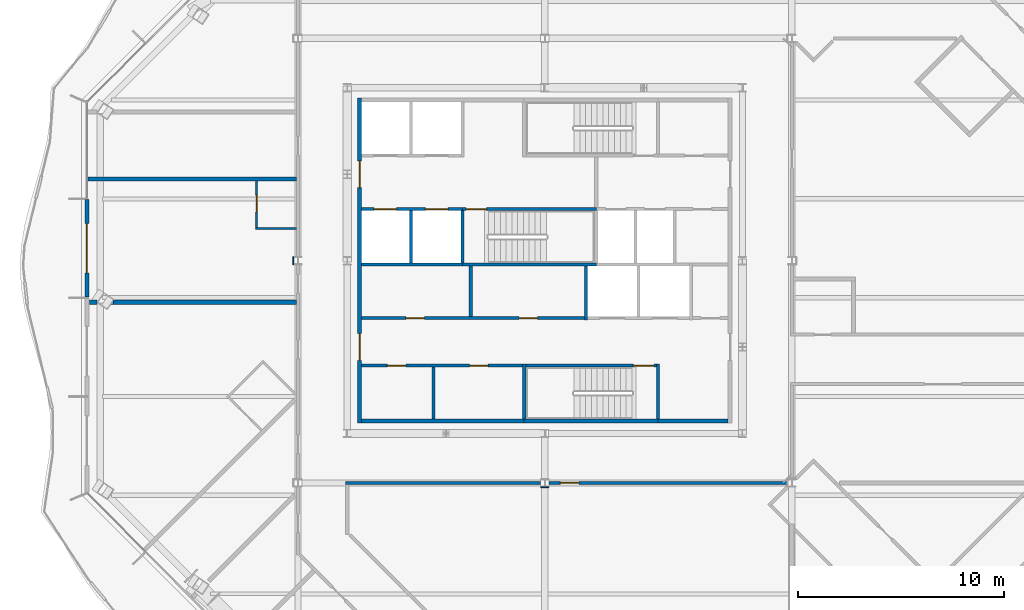
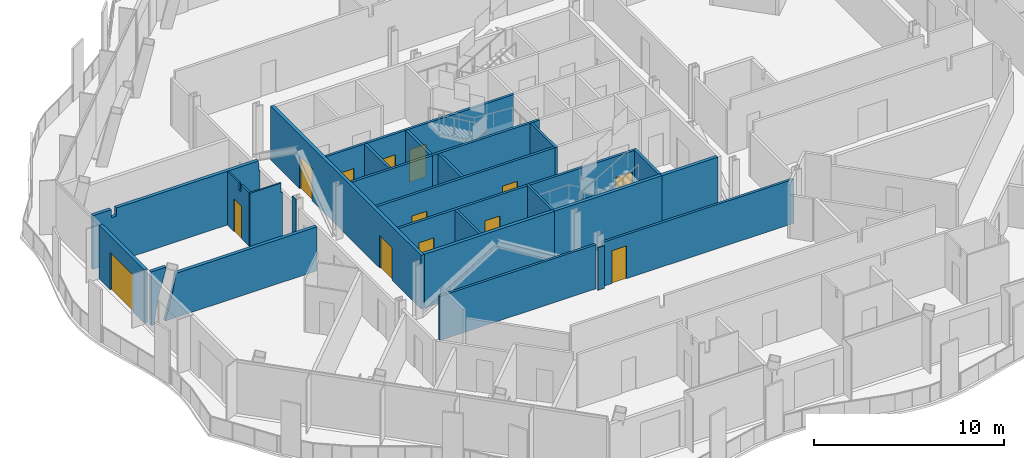
# One storey, part 9 of 19: 28 walls, 13 doors, 13 openings.
"""IFC4 building model written with IfcOpenShell, lengths in metres."""

import ifcopenshell
import ifcopenshell.guid

model = None  # the IFC model being written
_history = None  # IfcOwnerHistory: only IFC2X3 demands one
_inside = {}  # id of a spatial element -> (the spatial element, [elements in it])
_under = {}  # id of a project, library or spatial element -> (it, [spatial elements below it])
_declared = {}  # id of a project -> (the project, [libraries it declares])
_typed = {}  # id of a type object -> (the type object, [elements of that type])
_made_of = {}  # id of a material, layer set ... -> (it, [elements and type objects made of it])


def new_model(schema):
    """Start an empty IFC model of exactly this schema.

    Asked for "IFC4X3", IfcOpenShell would pick the latest addendum, in which some entities
    have other attributes; the version numbers below select the first issue.
    IFC2X3 requires an IfcOwnerHistory on every rooted entity: one is made here for all.
    """
    global model, _history
    if schema == "IFC4X3":
        model = ifcopenshell.file(schema_version=(4, 3, 0, 0))
    else:
        model = ifcopenshell.file(schema=schema)
    _inside.clear()
    _under.clear()
    _declared.clear()
    _typed.clear()
    _made_of.clear()
    _history = None
    if model.schema == "IFC2X3":
        org = make("IfcOrganization", Name="unknown")
        user = make(
            "IfcPersonAndOrganization",
            ThePerson=make("IfcPerson", FamilyName="unknown"),
            TheOrganization=org,
        )
        app = make(
            "IfcApplication",
            ApplicationDeveloper=org,
            Version="unknown",
            ApplicationFullName="unknown",
            ApplicationIdentifier="unknown",
        )
        _history = make(
            "IfcOwnerHistory",
            OwningUser=user,
            OwningApplication=app,
            ChangeAction="ADDED",
            CreationDate=0,
        )
    return model


def make(cls, **values):
    """One entity of the class cls with the attributes given. An attribute that is None is left unset."""
    return model.create_entity(
        cls, **{name: value for name, value in values.items() if value is not None}
    )


def rooted(cls, **values):
    """An entity with a GlobalId (a new one), such as an element, a storey or a relation."""
    return make(cls, GlobalId=ifcopenshell.guid.new(), OwnerHistory=_history, **values)


def si_unit(unit_type, name, prefix=None):
    """IfcSIUnit, for example si_unit("LENGTHUNIT", "METRE", prefix="MILLI")."""
    return make("IfcSIUnit", UnitType=unit_type, Prefix=prefix, Name=name)


def assignment(units):
    """IfcUnitAssignment: the units of a project."""
    return None if units is None else make("IfcUnitAssignment", Units=units)


def point(xyz):
    """IfcCartesianPoint."""
    return None if xyz is None else make("IfcCartesianPoint", Coordinates=xyz)


def direction(xyz):
    """IfcDirection."""
    return None if xyz is None else make("IfcDirection", DirectionRatios=xyz)


def frame(location, z_axis=None, x_axis=None):
    """IfcAxis2Placement3D, a coordinate frame: its origin and axes. An axis left out is left unset."""
    return make(
        "IfcAxis2Placement3D",
        Location=point(location),
        Axis=direction(z_axis),
        RefDirection=direction(x_axis),
    )


def frame_2d(location, x_axis=None):
    """IfcAxis2Placement2D, a coordinate frame in the plane: its origin and x axis."""
    return make(
        "IfcAxis2Placement2D", Location=point(location), RefDirection=direction(x_axis)
    )


def origin():
    """The frame at (0, 0, 0) with its axes left unset."""
    return frame((0.0, 0.0, 0.0))


def place(relative_to, where):
    """IfcLocalPlacement: puts the frame where relative to a parent placement (None: the world)."""
    return make(
        "IfcLocalPlacement", PlacementRelTo=relative_to, RelativePlacement=where
    )


def context(
    kind, dimensions, precision=None, world=None, true_north=None, identifier=None
):
    """IfcGeometricRepresentationContext, for example the 3D "Model" context."""
    return make(
        "IfcGeometricRepresentationContext",
        ContextIdentifier=identifier,
        ContextType=kind,
        CoordinateSpaceDimension=dimensions,
        Precision=precision,
        WorldCoordinateSystem=world,
        TrueNorth=true_north,
    )


def subcontext(parent, identifier, kind, view, scale=None):
    """IfcGeometricRepresentationSubContext, for example "Body" below "Model"."""
    return make(
        "IfcGeometricRepresentationSubContext",
        ContextIdentifier=identifier,
        ContextType=kind,
        ParentContext=parent,
        TargetScale=scale,
        TargetView=view,
    )


def project(units=None, contexts=None):
    """IfcProject with its units and contexts."""
    return rooted(
        "IfcProject",
        Name="project",
        RepresentationContexts=contexts,
        UnitsInContext=assignment(units),
    )


def spatial(cls, under=None, at=None, **own):
    """A site, building, storey or space (cls), placed at a placement, below another one or the project."""
    s = rooted(cls, ObjectPlacement=at, **own)
    if under is not None:
        _under.setdefault(under.id(), (under, []))[1].append(s)
    return s


def polyline(points):
    """IfcPolyline through the points."""
    return make("IfcPolyline", Points=[point(p) for p in points])


def profile(cls, at=None, kind="AREA", **sizes):
    """A parametric profile (cls). Its sizes go by their IFC names, for example OverallWidth=200.0."""
    return make(cls, ProfileType=kind, Position=at, **sizes)


def rectangle(**sizes):
    """IfcRectangleProfileDef."""
    return profile("IfcRectangleProfileDef", **sizes)


def outline(outer, holes=None, kind="AREA"):
    """IfcArbitraryClosedProfileDef: a profile drawn as a closed curve; with holes, ...WithVoids."""
    if holes is None:
        return make("IfcArbitraryClosedProfileDef", ProfileType=kind, OuterCurve=outer)
    return make(
        "IfcArbitraryProfileDefWithVoids",
        ProfileType=kind,
        OuterCurve=outer,
        InnerCurves=holes,
    )


def extrude(swept, where, along, depth):
    """IfcExtrudedAreaSolid: the profile swept, set in the frame where, extruded along a direction by depth."""
    return make(
        "IfcExtrudedAreaSolid",
        SweptArea=swept,
        Position=where,
        ExtrudedDirection=direction(along),
        Depth=depth,
    )


def shape(context_of_items, identifier, shape_type, items):
    """IfcShapeRepresentation: the items that make up one representation, for example the "Body"."""
    return make(
        "IfcShapeRepresentation",
        ContextOfItems=context_of_items,
        RepresentationIdentifier=identifier,
        RepresentationType=shape_type,
        Items=items,
    )


def material(Name=None, Category=None):
    """IfcMaterial."""
    return make("IfcMaterial", Name=Name, Category=Category)


def layer(
    of_material, thickness, ventilated=None, Name=None, Category=None, Priority=None
):
    """IfcMaterialLayer: one layer of a wall or slab, of a material (None: an air gap)."""
    return make(
        "IfcMaterialLayer",
        Material=of_material,
        LayerThickness=thickness,
        IsVentilated=ventilated,
        Name=Name,
        Category=Category,
        Priority=Priority,
    )


def layer_set(layers, Name=None):
    """IfcMaterialLayerSet."""
    return make("IfcMaterialLayerSet", MaterialLayers=layers, LayerSetName=Name)


def made_of(thing, what):
    """Note that an element or type object is made of a material, layer set ...; save() writes the relation."""
    if what is not None:
        _made_of.setdefault(what.id(), (what, []))[1].append(thing)
    return thing


def type_object(cls, material=None, **own):
    """A type object (cls), such as IfcWallType, which elements share."""
    return made_of(rooted(cls, **own), material)


def element(
    cls,
    number,
    at=None,
    inside=None,
    cuts=None,
    type_object=None,
    material=None,
    context=None,
    identifier="Body",
    shape_type=None,
    held_by="IfcProductDefinitionShape",
    body=None,
    shapes=None,
    **own,
):
    """One element of the class cls, such as IfcWall. Its Tag is "e" and its number.

    at: its placement. inside: the storey or other place that contains it. cuts: it is an
    opening in that element (IfcRelVoidsElement). A single representation is given by context,
    identifier, shape_type and body (its items); several are given by shapes. held_by: the class
    of the entity that holds the representations. save() writes the other relations.
    """
    e = rooted(cls, Tag="e%d" % number, ObjectPlacement=at, **own)
    if body is not None:
        shapes = [shape(context, identifier, shape_type, body)]
    if shapes is not None:
        e.Representation = make(held_by, Representations=shapes)
    if inside is not None:
        _inside.setdefault(inside.id(), (inside, []))[1].append(e)
    if cuts is not None:
        rooted(
            "IfcRelVoidsElement", RelatingBuildingElement=cuts, RelatedOpeningElement=e
        )
    if type_object is not None:
        _typed.setdefault(type_object.id(), (type_object, []))[1].append(e)
    return made_of(e, material)


def fill(opening, filler):
    """IfcRelFillsElement: the door or window that sits in an opening."""
    return rooted(
        "IfcRelFillsElement",
        RelatingOpeningElement=opening,
        RelatedBuildingElement=filler,
    )


def aggregate(whole, parts):
    """IfcRelAggregates: a whole, such as a stair, and the parts it consists of."""
    return rooted("IfcRelAggregates", RelatingObject=whole, RelatedObjects=parts)


def save(model, path):
    """Write the relations noted so far, then the file.

    IfcRelAggregates (storeys below a building ...), IfcRelContainedInSpatialStructure (elements
    in a storey), IfcRelDefinesByType, IfcRelAssociatesMaterial and IfcRelDeclares: one each for
    every whole, place, type object, material and project.
    """
    for whole, parts in _under.values():
        aggregate(whole, parts)
    for where, things in _inside.values():
        rooted(
            "IfcRelContainedInSpatialStructure",
            RelatedElements=things,
            RelatingStructure=where,
        )
    for kind, things in _typed.values():
        rooted("IfcRelDefinesByType", RelatedObjects=things, RelatingType=kind)
    for what, things in _made_of.values():
        rooted("IfcRelAssociatesMaterial", RelatedObjects=things, RelatingMaterial=what)
    for by, libraries in _declared.values():
        rooted("IfcRelDeclares", RelatingContext=by, RelatedDefinitions=libraries)
    model.write(path)


model = new_model("IFC4")

# Units and contexts
model_context = context("Model", 3, precision=1e-05, world=origin(), true_north=direction((0.0, 1.0)))
body_context = subcontext(model_context, "Body", "Model", "MODEL_VIEW")
ifc_project = project(units=[si_unit("LENGTHUNIT", "METRE"), si_unit("AREAUNIT", "SQUARE_METRE"), si_unit("VOLUMEUNIT", "CUBIC_METRE"), si_unit("PLANEANGLEUNIT", "RADIAN"), si_unit("MASSUNIT", "GRAM", prefix="KILO")], contexts=[model_context])

# Site, building, storey
site_placement = place(None, origin())
site = spatial("IfcSite", under=ifc_project, at=site_placement, CompositionType="ELEMENT")
building_placement = place(site_placement, origin())
building = spatial("IfcBuilding", under=site, at=building_placement, Name="Cairn Pilgrim Tower", CompositionType="ELEMENT")
storey_placement = place(building_placement, frame((0.0, 0.0, 193.800048828125)))
storey = spatial("IfcBuildingStorey", under=building, at=storey_placement, Name="L49", CompositionType="ELEMENT", Elevation=193.800048828125)

# Wall, opening, door
ifc_material_1 = material(Name="Bronze anodised aluminium insulated sandwich panel with mineral wool fill", Category="aluminium")
ifc_layer_1 = layer(ifc_material_1, 0.199951171875)
ifc_layer_set_1 = layer_set([ifc_layer_1], Name="BRONZE INFILL FRAME WALL 200")
wall_type_1 = type_object("IfcWallType", Name="BRONZE INFILL FRAME WALL 200", PredefinedType="NOTDEFINED", material=ifc_layer_set_1)
wall_1_placement = place(storey_placement, frame((-15.050048828125, 5.3701171875, 0.0), z_axis=(0.0, 0.0, 1.0), x_axis=(0.0, -1.0, 0.0)))
wall_1 = element("IfcWall", 1, at=wall_1_placement, inside=storey, type_object=wall_type_1, Name="Bronze infill frame wall IW-W2", PredefinedType="NOTDEFINED", context=body_context, shape_type="SweptSolid", body=[
    extrude(rectangle(XDim=4.740234375, YDim=0.199951171875, at=frame_2d((2.3701171875, 0.0))), origin(), (0.0, 0.0, 1.0), 3.449951171875),
])
opening_1_placement = place(wall_1_placement, frame((1.16943359375, 0.0, 0.0)))
opening_1 = element("IfcOpeningElement", 2, at=opening_1_placement, cuts=wall_1, Name="Opening 4914B", PredefinedType="OPENING", context=body_context, shape_type="SweptSolid", body=[
    extrude(rectangle(XDim=2.39990234375, YDim=2.39990234375, at=frame_2d((1.199951171875, 1.199951171875))), frame((0.0, 0.10986328125, 0.0), z_axis=(0.0, -1.0, 0.0), x_axis=(1.0, 0.0, 0.0)), (0.0, 0.0, 1.0), 0.219970703125),
])
ifc_material_2 = material(Name="Bronze anodised aluminium frame with tinted low-E glass", Category="aluminium")
door_type_1 = type_object("IfcDoorType", Name="BALCONY SLIDING DOOR 2400x2400", OperationType="DOUBLE_DOOR_SLIDING", PredefinedType="DOOR", material=ifc_material_2)
door_1_placement = place(opening_1_placement, origin())
door_1 = element("IfcDoor", 3, at=door_1_placement, inside=storey, type_object=door_type_1, Name="Balcony sliding door 4914B", OperationType="SINGLE_SWING_LEFT", OverallHeight=2.39990234375, OverallWidth=2.39990234375, PredefinedType="DOOR", context=body_context, shape_type="SweptSolid", body=[
    extrude(rectangle(XDim=2.39990234375, YDim=2.39990234375, at=frame_2d((1.199951171875, 1.199951171875))), frame((0.0, 0.02490234375, 0.0), z_axis=(0.0, -1.0, 0.0), x_axis=(1.0, 0.0, 0.0)), (0.0, 0.0, 1.0), 0.050048828125),
])
fill(opening_1, door_1)

# Walls
ifc_material_3 = material(Name="Concrete C32/40", Category="concrete")
ifc_layer_2 = layer(ifc_material_3, 0.199951171875)
ifc_layer_set_2 = layer_set([ifc_layer_2], Name="CORE OUTER WALL 200 EI 120")
wall_type_2 = type_object("IfcWallType", Name="CORE OUTER WALL 200 EI 120", PredefinedType="SOLIDWALL", material=ifc_layer_set_2)
wall_2_placement = place(storey_placement, frame((-1.699951171875, -5.39990234375, 0.0), z_axis=(0.0, 0.0, 1.0), x_axis=(1.0, 0.0, 0.0)))
element("IfcWall", 4, at=wall_2_placement, inside=storey, type_object=wall_type_2, Name="CW:L49:H01-1", PredefinedType="SOLIDWALL", context=body_context, shape_type="SweptSolid", body=[
    extrude(rectangle(XDim=7.89990234375, YDim=0.199951171875, at=frame_2d((3.949951171875, 0.0))), origin(), (0.0, 0.0, 1.0), 3.449951171875),
])
wall_3_placement = place(storey_placement, frame((12.699951171875, -5.39990234375, 0.0), z_axis=(0.0, 0.0, 1.0), x_axis=(1.0, 0.0, 0.0)))
element("IfcWall", 5, at=wall_3_placement, inside=storey, type_object=wall_type_2, Name="CW:L49:H01-3", PredefinedType="SOLIDWALL", context=body_context, shape_type="SweptSolid", body=[
    extrude(rectangle(XDim=3.400146484375, YDim=0.199951171875, at=frame_2d((1.7001953125, 0.0))), origin(), (0.0, 0.0, 1.0), 3.449951171875),
])

# Wall, openings, doors
wall_4_placement = place(storey_placement, frame((-1.800048828125, -5.5, 0.0), z_axis=(0.0, 0.0, 1.0), x_axis=(0.0, 1.0, 0.0)))
wall_4 = element("IfcWall", 6, at=wall_4_placement, inside=storey, type_object=wall_type_2, Name="CW:L49:V13", PredefinedType="SOLIDWALL", context=body_context, shape_type="SweptSolid", body=[
    extrude(rectangle(XDim=15.800048828125, YDim=0.199951171875, at=frame_2d((7.89990234375, 0.0))), origin(), (0.0, 0.0, 1.0), 3.449951171875),
])
opening_2_placement = place(wall_4_placement, frame((3.050048828125, 0.0, 0.0)))
opening_2 = element("IfcOpeningElement", 7, at=opening_2_placement, cuts=wall_4, Name="Opening CD-W1", PredefinedType="OPENING", context=body_context, shape_type="SweptSolid", body=[
    extrude(rectangle(XDim=1.300048828125, YDim=2.10009765625, at=frame_2d((0.64990234375, 1.050048828125))), frame((0.0, 0.10986328125, 0.0), z_axis=(0.0, -1.0, 0.0), x_axis=(1.0, 0.0, 0.0)), (0.0, 0.0, 1.0), 0.219970703125),
])
opening_3_placement = place(wall_4_placement, frame((11.449951171875, 0.0, 0.0)))
opening_3 = element("IfcOpeningElement", 8, at=opening_3_placement, cuts=wall_4, Name="Opening CD-W2", PredefinedType="OPENING", context=body_context, shape_type="SweptSolid", body=[
    extrude(rectangle(XDim=1.300048828125, YDim=2.10009765625, at=frame_2d((0.64990234375, 1.050048828125))), frame((0.0, 0.10986328125, 0.0), z_axis=(0.0, -1.0, 0.0), x_axis=(1.0, 0.0, 0.0)), (0.0, 0.0, 1.0), 0.219970703125),
])
ifc_material_4 = material(Name="Painted steel", Category="steel")
door_type_2 = type_object("IfcDoorType", Name="CORE LOBBY DOOR 1300x2100", OperationType="DOUBLE_DOOR_SINGLE_SWING", PredefinedType="DOOR", material=ifc_material_4)
door_2_placement = place(opening_2_placement, origin())
door_2 = element("IfcDoor", 9, at=door_2_placement, inside=storey, type_object=door_type_2, Name="CD-W1", OperationType="DOUBLE_DOOR_SINGLE_SWING", OverallHeight=2.10009765625, OverallWidth=1.300048828125, PredefinedType="DOOR", context=body_context, shape_type="SweptSolid", body=[
    extrude(rectangle(XDim=1.300048828125, YDim=2.10009765625, at=frame_2d((0.64990234375, 1.050048828125))), frame((0.0, 0.02490234375, 0.0), z_axis=(0.0, -1.0, 0.0), x_axis=(1.0, 0.0, 0.0)), (0.0, 0.0, 1.0), 0.050048828125),
])
fill(opening_2, door_2)
door_3_placement = place(opening_3_placement, origin())
door_3 = element("IfcDoor", 10, at=door_3_placement, inside=storey, type_object=door_type_2, Name="CD-W2", OperationType="DOUBLE_DOOR_SINGLE_SWING", OverallHeight=2.10009765625, OverallWidth=1.300048828125, PredefinedType="DOOR", context=body_context, shape_type="SweptSolid", body=[
    extrude(rectangle(XDim=1.300048828125, YDim=2.10009765625, at=frame_2d((0.64990234375, 1.050048828125))), frame((0.0, 0.02490234375, 0.0), z_axis=(0.0, -1.0, 0.0), x_axis=(1.0, 0.0, 0.0)), (0.0, 0.0, 1.0), 0.050048828125),
])
fill(opening_3, door_3)

ifc_layer_3 = layer(ifc_material_3, 0.14990234375)
ifc_layer_set_3 = layer_set([ifc_layer_3], Name="CORE PARTITION 150 EI 60")
wall_type_3 = type_object("IfcWallType", Name="CORE PARTITION 150 EI 60", PredefinedType="PARTITIONING", material=ifc_layer_set_3)
wall_5_placement = place(storey_placement, frame((-1.699951171875, -2.699951171875, 0.0), z_axis=(0.0, 0.0, 1.0), x_axis=(1.0, 0.0, 0.0)))
wall_5 = element("IfcWall", 11, at=wall_5_placement, inside=storey, type_object=wall_type_3, Name="CW:L49:H02", PredefinedType="PARTITIONING", context=body_context, shape_type="SweptSolid", body=[
    extrude(rectangle(XDim=7.824951171875, YDim=0.14990234375, at=frame_2d((3.91259765625, 0.0))), origin(), (0.0, 0.0, 1.0), 3.449951171875),
])
opening_4_placement = place(wall_5_placement, frame((1.25, 0.0, 0.0)))
opening_4 = element("IfcOpeningElement", 12, at=opening_4_placement, cuts=wall_5, Name="Opening RD-R1W1", PredefinedType="OPENING", context=body_context, shape_type="SweptSolid", body=[
    extrude(rectangle(XDim=0.89990234375, YDim=2.10009765625, at=frame_2d((0.449951171875, 1.050048828125))), frame((0.0, 0.0849609375, 0.0), z_axis=(0.0, -1.0, 0.0), x_axis=(1.0, 0.0, 0.0)), (0.0, 0.0, 1.0), 0.169921875),
])
opening_5_placement = place(wall_5_placement, frame((5.25, 0.0, 0.0)))
opening_5 = element("IfcOpeningElement", 13, at=opening_5_placement, cuts=wall_5, Name="Opening RD-R1W2", PredefinedType="OPENING", context=body_context, shape_type="SweptSolid", body=[
    extrude(rectangle(XDim=0.89990234375, YDim=2.10009765625, at=frame_2d((0.449951171875, 1.050048828125))), frame((0.0, 0.0849609375, 0.0), z_axis=(0.0, -1.0, 0.0), x_axis=(1.0, 0.0, 0.0)), (0.0, 0.0, 1.0), 0.169921875),
])
door_type_3 = type_object("IfcDoorType", Name="SERVICE ROOM DOOR 900x2100", OperationType="SINGLE_SWING_LEFT", PredefinedType="DOOR", material=ifc_material_4)
door_4_placement = place(opening_4_placement, origin())
door_4 = element("IfcDoor", 14, at=door_4_placement, inside=storey, type_object=door_type_3, Name="RD-R1W1", OperationType="SINGLE_SWING_LEFT", OverallHeight=2.10009765625, OverallWidth=0.89990234375, PredefinedType="DOOR", context=body_context, shape_type="SweptSolid", body=[
    extrude(rectangle(XDim=0.89990234375, YDim=2.10009765625, at=frame_2d((0.449951171875, 1.050048828125))), frame((0.0, 0.02490234375, 0.0), z_axis=(0.0, -1.0, 0.0), x_axis=(1.0, 0.0, 0.0)), (0.0, 0.0, 1.0), 0.050048828125),
])
fill(opening_4, door_4)
door_5_placement = place(opening_5_placement, origin())
door_5 = element("IfcDoor", 15, at=door_5_placement, inside=storey, type_object=door_type_3, Name="RD-R1W2", OperationType="SINGLE_SWING_RIGHT", OverallHeight=2.10009765625, OverallWidth=0.89990234375, PredefinedType="DOOR", context=body_context, shape_type="SweptSolid", body=[
    extrude(rectangle(XDim=0.89990234375, YDim=2.10009765625, at=frame_2d((0.449951171875, 1.050048828125))), frame((0.0, 0.02490234375, 0.0), z_axis=(0.0, -1.0, 0.0), x_axis=(1.0, 0.0, 0.0)), (0.0, 0.0, 1.0), 0.050048828125),
])
fill(opening_5, door_5)

wall_6_placement = place(storey_placement, frame((-1.699951171875, -0.39990234375, 0.0), z_axis=(0.0, 0.0, 1.0), x_axis=(1.0, 0.0, 0.0)))
wall_6 = element("IfcWall", 16, at=wall_6_placement, inside=storey, type_object=wall_type_3, Name="CW:L49:H04", PredefinedType="PARTITIONING", context=body_context, shape_type="SweptSolid", body=[
    extrude(rectangle(XDim=10.824951171875, YDim=0.14990234375, at=frame_2d((5.41259765625, 0.0))), origin(), (0.0, 0.0, 1.0), 3.449951171875),
])
opening_6_placement = place(wall_6_placement, frame((2.14990234375, 0.0, 0.0)))
opening_6 = element("IfcOpeningElement", 17, at=opening_6_placement, cuts=wall_6, Name="Opening RD-R2W1", PredefinedType="OPENING", context=body_context, shape_type="SweptSolid", body=[
    extrude(rectangle(XDim=0.89990234375, YDim=2.10009765625, at=frame_2d((0.449951171875, 1.050048828125))), frame((0.0, 0.0849609375, 0.0), z_axis=(0.0, -1.0, 0.0), x_axis=(1.0, 0.0, 0.0)), (0.0, 0.0, 1.0), 0.169921875),
])
opening_7_placement = place(wall_6_placement, frame((7.64990234375, 0.0, 0.0)))
opening_7 = element("IfcOpeningElement", 18, at=opening_7_placement, cuts=wall_6, Name="Opening RD-R2W2", PredefinedType="OPENING", context=body_context, shape_type="SweptSolid", body=[
    extrude(rectangle(XDim=0.89990234375, YDim=2.10009765625, at=frame_2d((0.449951171875, 1.050048828125))), frame((0.0, 0.0849609375, 0.0), z_axis=(0.0, -1.0, 0.0), x_axis=(1.0, 0.0, 0.0)), (0.0, 0.0, 1.0), 0.169921875),
])
door_6_placement = place(opening_6_placement, origin())
door_6 = element("IfcDoor", 19, at=door_6_placement, inside=storey, type_object=door_type_3, Name="RD-R2W1", OperationType="SINGLE_SWING_LEFT", OverallHeight=2.10009765625, OverallWidth=0.89990234375, PredefinedType="DOOR", context=body_context, shape_type="SweptSolid", body=[
    extrude(rectangle(XDim=0.89990234375, YDim=2.10009765625, at=frame_2d((0.449951171875, 1.050048828125))), frame((0.0, 0.02490234375, 0.0), z_axis=(0.0, -1.0, 0.0), x_axis=(1.0, 0.0, 0.0)), (0.0, 0.0, 1.0), 0.050048828125),
])
fill(opening_6, door_6)
door_7_placement = place(opening_7_placement, origin())
door_7 = element("IfcDoor", 20, at=door_7_placement, inside=storey, type_object=door_type_3, Name="RD-R2W2", OperationType="SINGLE_SWING_RIGHT", OverallHeight=2.10009765625, OverallWidth=0.89990234375, PredefinedType="DOOR", context=body_context, shape_type="SweptSolid", body=[
    extrude(rectangle(XDim=0.89990234375, YDim=2.10009765625, at=frame_2d((0.449951171875, 1.050048828125))), frame((0.0, 0.02490234375, 0.0), z_axis=(0.0, -1.0, 0.0), x_axis=(1.0, 0.0, 0.0)), (0.0, 0.0, 1.0), 0.050048828125),
])
fill(opening_7, door_7)

# Walls
wall_7_placement = place(storey_placement, frame((1.800048828125, -5.300048828125, 0.0), z_axis=(0.0, 0.0, 1.0), x_axis=(0.0, 1.0, 0.0)))
element("IfcWall", 21, at=wall_7_placement, inside=storey, type_object=wall_type_3, Name="CW:L49:V16", PredefinedType="PARTITIONING", context=body_context, shape_type="SweptSolid", body=[
    extrude(rectangle(XDim=2.525146484375, YDim=0.14990234375, at=frame_2d((1.2626953125, 0.0))), origin(), (0.0, 0.0, 1.0), 3.449951171875),
])
wall_8_placement = place(storey_placement, frame((3.60009765625, -0.324951171875, 0.0), z_axis=(0.0, 0.0, 1.0), x_axis=(0.0, 1.0, 0.0)))
element("IfcWall", 22, at=wall_8_placement, inside=storey, type_object=wall_type_3, Name="CW:L49:V19", PredefinedType="PARTITIONING", context=body_context, shape_type="SweptSolid", body=[
    extrude(rectangle(XDim=2.449951171875, YDim=0.14990234375, at=frame_2d((1.22509765625, 0.0))), origin(), (0.0, 0.0, 1.0), 3.449951171875),
])
ifc_layer_4 = layer(ifc_material_3, 0.14990234375)
ifc_layer_set_4 = layer_set([ifc_layer_4], Name="CORE SHAFT WALL 150 EI 120")
wall_type_4 = type_object("IfcWallType", Name="CORE SHAFT WALL 150 EI 120", PredefinedType="SOLIDWALL", material=ifc_layer_set_4)
wall_9_placement = place(storey_placement, frame((-1.699951171875, 2.199951171875, 0.0), z_axis=(0.0, 0.0, 1.0), x_axis=(1.0, 0.0, 0.0)))
element("IfcWall", 23, at=wall_9_placement, inside=storey, type_object=wall_type_4, Name="CW:L49:H07-1", PredefinedType="SOLIDWALL", context=body_context, shape_type="SweptSolid", body=[
    extrude(rectangle(XDim=4.89990234375, YDim=0.14990234375, at=frame_2d((2.449951171875, 0.0))), origin(), (0.0, 0.0, 1.0), 3.449951171875),
])

# Wall, openings, doors
wall_10_placement = place(storey_placement, frame((-1.699951171875, 4.89990234375, 0.0), z_axis=(0.0, 0.0, 1.0), x_axis=(1.0, 0.0, 0.0)))
wall_10 = element("IfcWall", 24, at=wall_10_placement, inside=storey, type_object=wall_type_4, Name="CW:L49:H09-1", PredefinedType="SOLIDWALL", context=body_context, shape_type="SweptSolid", body=[
    extrude(rectangle(XDim=4.89990234375, YDim=0.14990234375, at=frame_2d((2.449951171875, 0.0))), origin(), (0.0, 0.0, 1.0), 3.449951171875),
])
opening_8_placement = place(wall_10_placement, frame((0.60009765625, 0.0, 0.0)))
opening_8 = element("IfcOpeningElement", 25, at=opening_8_placement, cuts=wall_10, Name="Opening LD-HR1", PredefinedType="OPENING", context=body_context, shape_type="SweptSolid", body=[
    extrude(rectangle(XDim=1.10009765625, YDim=2.10009765625, at=frame_2d((0.550048828125, 1.050048828125))), frame((0.0, 0.0849609375, 0.0), z_axis=(0.0, -1.0, 0.0), x_axis=(1.0, 0.0, 0.0)), (0.0, 0.0, 1.0), 0.169921875),
])
opening_9_placement = place(wall_10_placement, frame((3.10009765625, 0.0, 0.0)))
opening_9 = element("IfcOpeningElement", 26, at=opening_9_placement, cuts=wall_10, Name="Opening LD-HR2", PredefinedType="OPENING", context=body_context, shape_type="SweptSolid", body=[
    extrude(rectangle(XDim=1.10009765625, YDim=2.10009765625, at=frame_2d((0.550048828125, 1.050048828125))), frame((0.0, 0.0849609375, 0.0), z_axis=(0.0, -1.0, 0.0), x_axis=(1.0, 0.0, 0.0)), (0.0, 0.0, 1.0), 0.169921875),
])
ifc_material_5 = material(Name="Stainless steel", Category="steel")
door_type_4 = type_object("IfcDoorType", Name="LIFT LANDING DOOR 1100x2100", OperationType="DOUBLE_DOOR_SLIDING", PredefinedType="DOOR", material=ifc_material_5)
door_8_placement = place(opening_8_placement, origin())
door_8 = element("IfcDoor", 27, at=door_8_placement, inside=storey, type_object=door_type_4, Name="LANDING DOOR HR1", OperationType="DOUBLE_DOOR_SLIDING", OverallHeight=2.10009765625, OverallWidth=1.10009765625, PredefinedType="DOOR", context=body_context, shape_type="SweptSolid", body=[
    extrude(rectangle(XDim=1.10009765625, YDim=2.10009765625, at=frame_2d((0.550048828125, 1.050048828125))), frame((0.0, 0.02490234375, 0.0), z_axis=(0.0, -1.0, 0.0), x_axis=(1.0, 0.0, 0.0)), (0.0, 0.0, 1.0), 0.050048828125),
])
fill(opening_8, door_8)
door_9_placement = place(opening_9_placement, origin())
door_9 = element("IfcDoor", 28, at=door_9_placement, inside=storey, type_object=door_type_4, Name="LANDING DOOR HR2", OperationType="DOUBLE_DOOR_SLIDING", OverallHeight=2.10009765625, OverallWidth=1.10009765625, PredefinedType="DOOR", context=body_context, shape_type="SweptSolid", body=[
    extrude(rectangle(XDim=1.10009765625, YDim=2.10009765625, at=frame_2d((0.550048828125, 1.050048828125))), frame((0.0, 0.02490234375, 0.0), z_axis=(0.0, -1.0, 0.0), x_axis=(1.0, 0.0, 0.0)), (0.0, 0.0, 1.0), 0.050048828125),
])
fill(opening_9, door_9)

# Walls
wall_11_placement = place(storey_placement, frame((0.699951171875, 2.27490234375, 0.0), z_axis=(0.0, 0.0, 1.0), x_axis=(0.0, 1.0, 0.0)))
element("IfcWall", 29, at=wall_11_placement, inside=storey, type_object=wall_type_4, Name="CW:L49:V14", PredefinedType="SOLIDWALL", context=body_context, shape_type="SweptSolid", body=[
    extrude(rectangle(XDim=2.550048828125, YDim=0.14990234375, at=frame_2d((1.27490234375, 0.0))), origin(), (0.0, 0.0, 1.0), 3.449951171875),
])
wall_12_placement = place(storey_placement, frame((9.199951171875, -0.47509765625, 0.0), z_axis=(0.0, 0.0, 1.0), x_axis=(0.0, 1.0, 0.0)))
element("IfcWall", 30, at=wall_12_placement, inside=storey, type_object=wall_type_4, Name="CW:L49:V22", PredefinedType="SOLIDWALL", context=body_context, shape_type="SweptSolid", body=[
    extrude(rectangle(XDim=2.60009765625, YDim=0.14990234375, at=frame_2d((1.300048828125, 0.0))), origin(), (0.0, 0.0, 1.0), 3.449951171875),
])
ifc_material_6 = material(Name="Gypsum partition")
ifc_layer_5 = layer(ifc_material_6, 0.10009765625)
ifc_layer_set_5 = layer_set([ifc_layer_5], Name="PARTITION 100 DRYWALL")
wall_type_5 = type_object("IfcWallType", Name="PARTITION 100 DRYWALL", PredefinedType="PARTITIONING", material=ifc_layer_set_5)
wall_13_placement = place(storey_placement, frame((-6.85009765625, 3.962890625, 0.0), z_axis=(0.0, 0.0, 1.0), x_axis=(1.0, 0.0, 0.0)))
element("IfcWall", 31, at=wall_13_placement, inside=storey, type_object=wall_type_5, Name="PARTITION W060", PredefinedType="PARTITIONING", context=body_context, shape_type="SweptSolid", body=[
    extrude(outline(polyline([(0.0, 0.0), (1.97509765625, 0.0), (1.97509765625, 2.829833984375), (1.89990234375, 2.829833984375), (1.89794921875, 3.449951171875), (0.0, 3.449951171875), (0.0, 0.0)])), frame((0.0, 0.050048828125, 0.0), z_axis=(0.0, -1.0, 0.0), x_axis=(1.0, 0.0, 0.0)), (0.0, 0.0, 1.0), 0.10009765625),
])

# Wall, opening, door
wall_14_placement = place(storey_placement, frame((-6.800048828125, 4.012939453125, 0.0), z_axis=(0.0, 0.0, 1.0), x_axis=(0.0, 1.0, 0.0)))
wall_14 = element("IfcWall", 32, at=wall_14_placement, inside=storey, type_object=wall_type_5, Name="PARTITION W061", PredefinedType="PARTITIONING", context=body_context, shape_type="SweptSolid", body=[
    extrude(outline(polyline([(0.0, 0.0), (2.2509765625, 0.0), (2.2509765625, 3.449951171875), (1.031982421875, 3.449951171875), (1.030029296875, 2.97998046875), (0.842041015625, 2.97998046875), (0.840087890625, 3.449951171875), (0.0, 3.449951171875), (0.0, 0.0)])), frame((0.0, 0.050048828125, 0.0), z_axis=(0.0, -1.0, 0.0), x_axis=(1.0, 0.0, 0.0)), (0.0, 0.0, 1.0), 0.10009765625),
])
opening_10_placement = place(wall_14_placement, frame((0.7509765625, 0.0, 0.0)))
opening_10 = element("IfcOpeningElement", 33, at=opening_10_placement, cuts=wall_14, Name="Opening 4914A", PredefinedType="OPENING", context=body_context, shape_type="SweptSolid", body=[
    extrude(rectangle(XDim=0.800048828125, YDim=2.10009765625, at=frame_2d((0.39990234375, 1.050048828125))), frame((0.0, 0.06005859375, 0.0), z_axis=(0.0, -1.0, 0.0), x_axis=(1.0, 0.0, 0.0)), (0.0, 0.0, 1.0), 0.1201171875),
])
ifc_material_7 = material(Name="Timber door leaf", Category="wood")
door_type_5 = type_object("IfcDoorType", Name="WC DOOR 800x2100", OperationType="NOTDEFINED", PredefinedType="DOOR", material=ifc_material_7)
door_10_placement = place(opening_10_placement, origin())
door_10 = element("IfcDoor", 34, at=door_10_placement, inside=storey, type_object=door_type_5, Name="DOOR 4914A", OperationType="SINGLE_SWING_LEFT", OverallHeight=2.10009765625, OverallWidth=0.800048828125, PredefinedType="DOOR", context=body_context, shape_type="SweptSolid", body=[
    extrude(rectangle(XDim=0.800048828125, YDim=2.10009765625, at=frame_2d((0.39990234375, 1.050048828125))), frame((0.0, 0.02490234375, 0.0), z_axis=(0.0, -1.0, 0.0), x_axis=(1.0, 0.0, 0.0)), (0.0, 0.0, 1.0), 0.050048828125),
])
fill(opening_10, door_10)

# Wall
ifc_layer_6 = layer(ifc_material_6, 0.14990234375)
ifc_layer_set_6 = layer_set([ifc_layer_6], Name="PARTITION 150 DRYWALL EI 60")
wall_type_6 = type_object("IfcWallType", Name="PARTITION 150 DRYWALL EI 60", PredefinedType="PARTITIONING", material=ifc_layer_set_6)
wall_15_placement = place(storey_placement, frame((-2.47509765625, -8.39990234375, 0.0), z_axis=(0.0, 0.0, 1.0), x_axis=(1.0, 0.0, 0.0)))
element("IfcWall", 35, at=wall_15_placement, inside=storey, type_object=wall_type_6, Name="PARTITION W033", PredefinedType="PARTITIONING", context=body_context, shape_type="SweptSolid", body=[
    extrude(rectangle(XDim=9.4755859375, YDim=0.14990234375, at=frame_2d((4.73779296875, 0.0))), origin(), (0.0, 0.0, 1.0), 2.829833984375),
])

# Wall, opening, door
wall_16_placement = place(storey_placement, frame((7.3994140625, -8.39990234375, 0.0), z_axis=(0.0, 0.0, 1.0), x_axis=(1.0, 0.0, 0.0)))
wall_16 = element("IfcWall", 36, at=wall_16_placement, inside=storey, type_object=wall_type_6, Name="PARTITION W034", PredefinedType="PARTITIONING", context=body_context, shape_type="SweptSolid", body=[
    extrude(rectangle(XDim=11.60107421875, YDim=0.14990234375, at=frame_2d((5.800537109375, 0.0))), origin(), (0.0, 0.0, 1.0), 2.829833984375),
])
opening_11_placement = place(wall_16_placement, frame((0.550537109375, 0.0, 0.0)))
opening_11 = element("IfcOpeningElement", 37, at=opening_11_placement, cuts=wall_16, Name="Opening 4928", PredefinedType="OPENING", context=body_context, shape_type="SweptSolid", body=[
    extrude(rectangle(XDim=0.89990234375, YDim=2.10009765625, at=frame_2d((0.449951171875, 1.050048828125))), frame((0.0, 0.0849609375, 0.0), z_axis=(0.0, -1.0, 0.0), x_axis=(1.0, 0.0, 0.0)), (0.0, 0.0, 1.0), 0.169921875),
])
door_type_6 = type_object("IfcDoorType", Name="SERVICE DOOR 900x2100 FD30S", OperationType="NOTDEFINED", PredefinedType="DOOR", material=ifc_material_7)
door_11_placement = place(opening_11_placement, frame((0.89990234375, 0.0, 0.0), z_axis=(0.0, 0.0, 1.0), x_axis=(-1.0, 0.0, 0.0)))
door_11 = element("IfcDoor", 38, at=door_11_placement, inside=storey, type_object=door_type_6, Name="DOOR 4928", OperationType="SINGLE_SWING_RIGHT", OverallHeight=2.10009765625, OverallWidth=0.89990234375, PredefinedType="DOOR", context=body_context, shape_type="SweptSolid", body=[
    extrude(rectangle(XDim=0.89990234375, YDim=2.10009765625, at=frame_2d((0.449951171875, 1.050048828125))), frame((0.0, 0.02490234375, 0.0), z_axis=(0.0, -1.0, 0.0), x_axis=(1.0, 0.0, 0.0)), (0.0, 0.0, 1.0), 0.050048828125),
])
fill(opening_11, door_11)

# Walls
ifc_layer_7 = layer(ifc_material_6, 0.050048828125)
ifc_layer_set_7 = layer_set([ifc_layer_7], Name="PARTITION 50 DRYWALL EI 60")
wall_type_7 = type_object("IfcWallType", Name="PARTITION 50 DRYWALL EI 60", PredefinedType="PARTITIONING", material=ifc_layer_set_7)
wall_17_placement = place(storey_placement, frame((-5.0244140625, 2.20361328125, 0.0), z_axis=(0.0, 0.0, 1.0), x_axis=(0.0, 1.0, 0.0)))
element("IfcWall", 39, at=wall_17_placement, inside=storey, type_object=wall_type_7, Name="COLUMN CASING WC10", PredefinedType="PARTITIONING", context=body_context, shape_type="SweptSolid", body=[
    extrude(rectangle(XDim=0.392822265625, YDim=0.050048828125, at=frame_2d((0.1962890625, 0.0))), origin(), (0.0, 0.0, 1.0), 3.449951171875),
])
wall_18_placement = place(storey_placement, frame((7.00048828125, -8.62158203125, 0.0), z_axis=(0.0, 0.0, 1.0), x_axis=(1.0, 0.0, 0.0)))
element("IfcWall", 40, at=wall_18_placement, inside=storey, type_object=wall_type_7, Name="COLUMN CASING WC13", PredefinedType="PARTITIONING", context=body_context, shape_type="SweptSolid", body=[
    extrude(rectangle(XDim=0.39892578125, YDim=0.050048828125, at=frame_2d((0.199462890625, 0.0))), origin(), (0.0, 0.0, 1.0), 2.72998046875),
])
ifc_layer_8 = layer(ifc_material_6, 0.199951171875)
ifc_layer_set_8 = layer_set([ifc_layer_8], Name="SHAFT WALL 200 GYPSUM EI 60")
wall_type_8 = type_object("IfcWallType", Name="SHAFT WALL 200 GYPSUM EI 60", PredefinedType="PARTITIONING", material=ifc_layer_set_8)
wall_19_placement = place(storey_placement, frame((-14.919921875, 0.375, 0.0), z_axis=(0.0, 0.0, 1.0), x_axis=(1.0, 0.0, 0.0)))
element("IfcWall", 41, at=wall_19_placement, inside=storey, type_object=wall_type_8, Name="PARTITION W054", PredefinedType="PARTITIONING", context=body_context, shape_type="SweptSolid", body=[
    extrude(outline(polyline([(0.0, 0.0), (0.16650390625, 0.0), (0.28759765625, 0.862548828125), (0.44921875, 1.724853515625), (0.675048828125, 2.58740234375), (0.90869140625, 3.449951171875), (0.0, 3.449951171875), (0.0, 2.58740234375), (0.0, 1.724853515625), (0.0, 0.862548828125), (0.0, 0.0)])), frame((0.0, 0.10009765625, 0.0), z_axis=(0.0, -1.0, 0.0), x_axis=(1.0, 0.0, 0.0)), (0.0, 0.0, 1.0), 0.199951171875),
])
wall_20_placement = place(storey_placement, frame((-14.072998046875, 0.375, 0.0), z_axis=(0.0, 0.0, 1.0), x_axis=(1.0, 0.0, 0.0)))
element("IfcWall", 42, at=wall_20_placement, inside=storey, type_object=wall_type_8, Name="PARTITION W055", PredefinedType="PARTITIONING", context=body_context, shape_type="SweptSolid", body=[
    extrude(outline(polyline([(0.0, 0.0), (9.197998046875, 0.0), (9.197998046875, 0.862548828125), (9.197998046875, 1.724853515625), (9.197998046875, 2.58740234375), (9.197998046875, 2.829833984375), (0.634765625, 2.829833984375), (0.608642578125, 2.58740234375), (0.447021484375, 1.724853515625), (0.233642578125, 0.862548828125), (0.0, 0.0)])), frame((0.0, 0.10009765625, 0.0), z_axis=(0.0, -1.0, 0.0), x_axis=(1.0, 0.0, 0.0)), (0.0, 0.0, 1.0), 0.199951171875),
])
wall_21_placement = place(storey_placement, frame((-15.0029296875, 6.364013671875, 0.0), z_axis=(0.0, 0.0, 1.0), x_axis=(1.0, 0.0, 0.0)))
element("IfcWall", 43, at=wall_21_placement, inside=storey, type_object=wall_type_8, Name="PARTITION W064", PredefinedType="PARTITIONING", context=body_context, shape_type="SweptSolid", body=[
    extrude(outline(polyline([(0.0, 0.0), (10.1279296875, 0.0), (10.1279296875, 2.829833984375), (10.052978515625, 2.829833984375), (10.051025390625, 3.449951171875), (1.427978515625, 3.449951171875), (1.426025390625, 2.929931640625), (1.1279296875, 2.929931640625), (1.1259765625, 3.449951171875), (0.0, 3.449951171875), (0.0, 0.0)])), frame((0.0, 0.10009765625, 0.0), z_axis=(0.0, -1.0, 0.0), x_axis=(1.0, 0.0, 0.0)), (0.0, 0.0, 1.0), 0.199951171875),
])

# Wall, opening, door
ifc_material_8 = material(Name="Concrete C35/45", Category="concrete")
ifc_layer_9 = layer(ifc_material_8, 0.14990234375)
ifc_layer_set_9 = layer_set([ifc_layer_9], Name="STAIR SHAFT WALL 150 EI 120")
wall_type_9 = type_object("IfcWallType", Name="STAIR SHAFT WALL 150 EI 120", PredefinedType="SOLIDWALL", material=ifc_layer_set_9)
wall_22_placement = place(storey_placement, frame((6.27490234375, -2.699951171875, 0.0), z_axis=(0.0, 0.0, 1.0), x_axis=(1.0, 0.0, 0.0)))
wall_22 = element("IfcWall", 44, at=wall_22_placement, inside=storey, type_object=wall_type_9, Name="CW:L49:H03", PredefinedType="SOLIDWALL", context=body_context, shape_type="SweptSolid", body=[
    extrude(rectangle(XDim=6.35009765625, YDim=0.14990234375, at=frame_2d((3.175048828125, 0.0))), origin(), (0.0, 0.0, 1.0), 3.449951171875),
])
opening_12_placement = place(wall_22_placement, frame((5.22509765625, 0.0, 0.0)))
opening_12 = element("IfcOpeningElement", 45, at=opening_12_placement, cuts=wall_22, Name="Opening SD-A", PredefinedType="OPENING", context=body_context, shape_type="SweptSolid", body=[
    extrude(rectangle(XDim=1.0, YDim=2.10009765625, at=frame_2d((0.5, 1.050048828125))), frame((0.0, 0.0849609375, 0.0), z_axis=(0.0, -1.0, 0.0), x_axis=(1.0, 0.0, 0.0)), (0.0, 0.0, 1.0), 0.169921875),
])
door_type_7 = type_object("IfcDoorType", Name="STAIR DOOR FD60S 1000x2100", OperationType="SINGLE_SWING_LEFT", PredefinedType="DOOR", material=ifc_material_4)
door_12_placement = place(opening_12_placement, origin())
door_12 = element("IfcDoor", 46, at=door_12_placement, inside=storey, type_object=door_type_7, Name="SD-A", OperationType="SINGLE_SWING_LEFT", OverallHeight=2.10009765625, OverallWidth=1.0, PredefinedType="DOOR", context=body_context, shape_type="SweptSolid", body=[
    extrude(rectangle(XDim=1.0, YDim=2.10009765625, at=frame_2d((0.5, 1.050048828125))), frame((0.0, 0.02490234375, 0.0), z_axis=(0.0, -1.0, 0.0), x_axis=(1.0, 0.0, 0.0)), (0.0, 0.0, 1.0), 0.050048828125),
])
fill(opening_12, door_12)

# Wall
wall_23_placement = place(storey_placement, frame((3.199951171875, 2.199951171875, 0.0), z_axis=(0.0, 0.0, 1.0), x_axis=(1.0, 0.0, 0.0)))
element("IfcWall", 47, at=wall_23_placement, inside=storey, type_object=wall_type_9, Name="CW:L49:H07-2", PredefinedType="SOLIDWALL", context=body_context, shape_type="SweptSolid", body=[
    extrude(rectangle(XDim=6.5, YDim=0.14990234375, at=frame_2d((3.25, 0.0))), origin(), (0.0, 0.0, 1.0), 3.449951171875),
])

# Wall, opening, door
wall_24_placement = place(storey_placement, frame((3.199951171875, 4.89990234375, 0.0), z_axis=(0.0, 0.0, 1.0), x_axis=(1.0, 0.0, 0.0)))
wall_24 = element("IfcWall", 48, at=wall_24_placement, inside=storey, type_object=wall_type_9, Name="CW:L49:H09-2", PredefinedType="SOLIDWALL", context=body_context, shape_type="SweptSolid", body=[
    extrude(rectangle(XDim=6.5, YDim=0.14990234375, at=frame_2d((3.25, 0.0))), origin(), (0.0, 0.0, 1.0), 3.449951171875),
])
opening_13_placement = place(wall_24_placement, frame((0.175048828125, 0.0, 0.0)))
opening_13 = element("IfcOpeningElement", 49, at=opening_13_placement, cuts=wall_24, Name="Opening SD-B", PredefinedType="OPENING", context=body_context, shape_type="SweptSolid", body=[
    extrude(rectangle(XDim=1.0, YDim=2.10009765625, at=frame_2d((0.5, 1.050048828125))), frame((0.0, 0.0849609375, 0.0), z_axis=(0.0, -1.0, 0.0), x_axis=(1.0, 0.0, 0.0)), (0.0, 0.0, 1.0), 0.169921875),
])
door_13_placement = place(opening_13_placement, origin())
door_13 = element("IfcDoor", 50, at=door_13_placement, inside=storey, type_object=door_type_7, Name="SD-B", OperationType="SINGLE_SWING_RIGHT", OverallHeight=2.10009765625, OverallWidth=1.0, PredefinedType="DOOR", context=body_context, shape_type="SweptSolid", body=[
    extrude(rectangle(XDim=1.0, YDim=2.10009765625, at=frame_2d((0.5, 1.050048828125))), frame((0.0, 0.02490234375, 0.0), z_axis=(0.0, -1.0, 0.0), x_axis=(1.0, 0.0, 0.0)), (0.0, 0.0, 1.0), 0.050048828125),
])
fill(opening_13, door_13)

# Walls
wall_25_placement = place(storey_placement, frame((3.199951171875, 2.27490234375, 0.0), z_axis=(0.0, 0.0, 1.0), x_axis=(0.0, 1.0, 0.0)))
element("IfcWall", 51, at=wall_25_placement, inside=storey, type_object=wall_type_9, Name="CW:L49:V17", PredefinedType="SOLIDWALL", context=body_context, shape_type="SweptSolid", body=[
    extrude(rectangle(XDim=2.550048828125, YDim=0.14990234375, at=frame_2d((1.27490234375, 0.0))), origin(), (0.0, 0.0, 1.0), 3.449951171875),
])
for number, where, z_axis, x_axis, name in (
    (52, (6.199951171875, -5.300048828125, 0.0), (0.0, 0.0, 1.0), (0.0, 1.0, 0.0), "CW:L49:V20"),
    (53, (12.699951171875, -5.300048828125, 0.0), (0.0, 0.0, 1.0), (0.0, 1.0, 0.0), "CW:L49:V27"),
):
    element("IfcWall", number, at=place(storey_placement, frame(where, z_axis=z_axis, x_axis=x_axis)), inside=storey, type_object=wall_type_9, Name=name, PredefinedType="SOLIDWALL", context=body_context, shape_type="SweptSolid", body=[
        extrude(rectangle(XDim=2.675048828125, YDim=0.14990234375, at=frame_2d((1.33740234375, 0.0))), origin(), (0.0, 0.0, 1.0), 3.449951171875),
    ])
ifc_layer_10 = layer(ifc_material_8, 0.199951171875)
ifc_layer_set_10 = layer_set([ifc_layer_10], Name="STAIR SHAFT WALL 200 EI 120")
wall_type_10 = type_object("IfcWallType", Name="STAIR SHAFT WALL 200 EI 120", PredefinedType="SOLIDWALL", material=ifc_layer_set_10)
wall_26_placement = place(storey_placement, frame((6.199951171875, -5.39990234375, 0.0), z_axis=(0.0, 0.0, 1.0), x_axis=(1.0, 0.0, 0.0)))
element("IfcWall", 54, at=wall_26_placement, inside=storey, type_object=wall_type_10, Name="CW:L49:H01-2", PredefinedType="SOLIDWALL", context=body_context, shape_type="SweptSolid", body=[
    extrude(rectangle(XDim=6.5, YDim=0.199951171875, at=frame_2d((3.25, 0.0))), origin(), (0.0, 0.0, 1.0), 3.449951171875),
])

save(model, "model.ifc")
